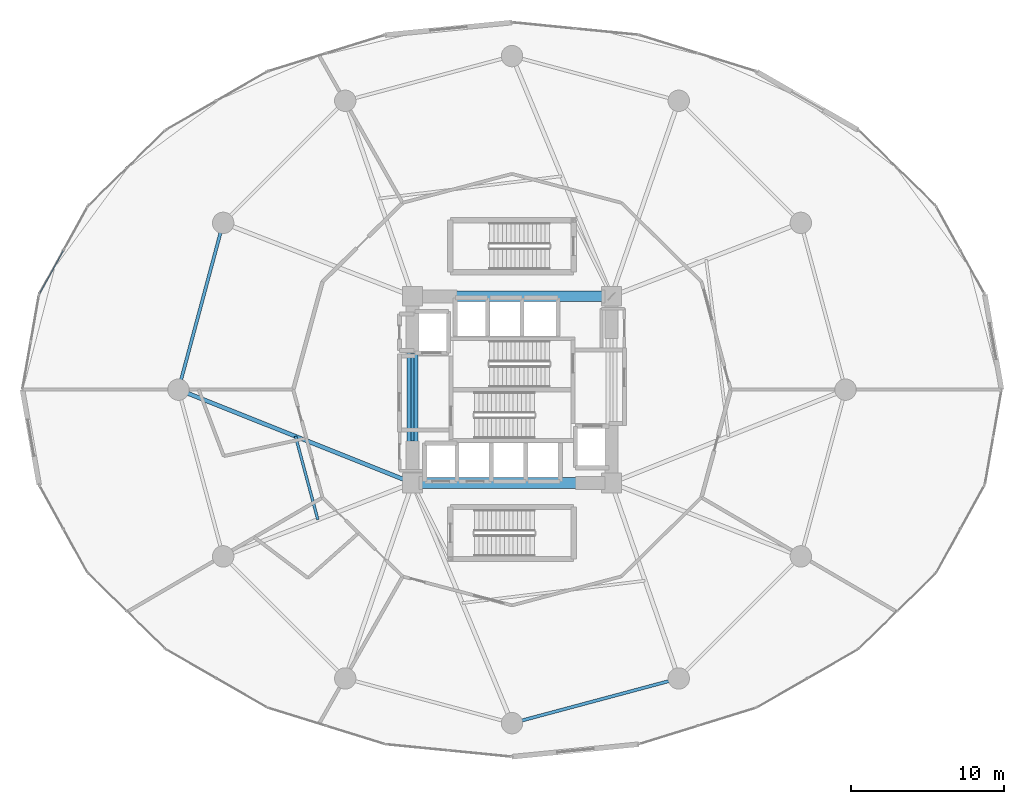
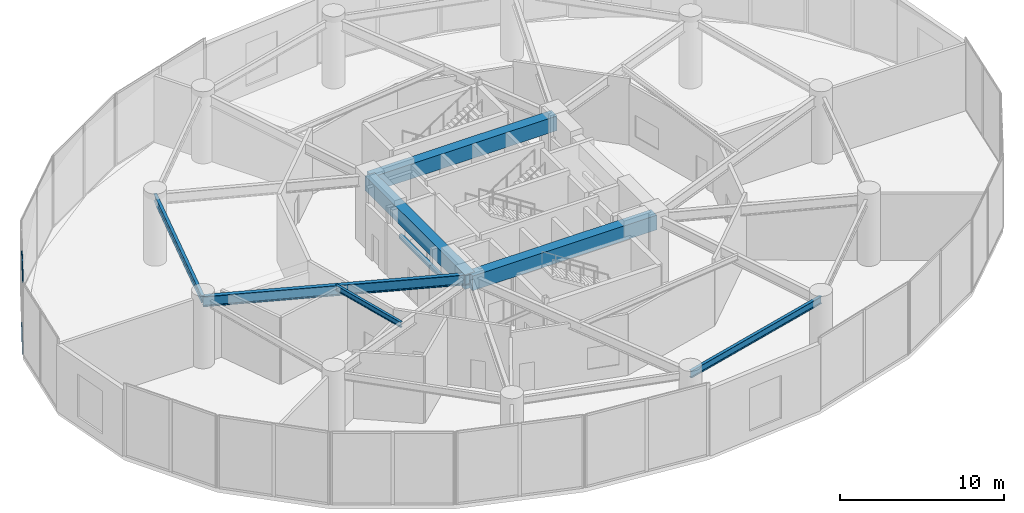
# One storey, part 8 of 29: 8 beams, 2 members, 1 element without a shape of its own.
"""IFC4 building model written with IfcOpenShell, lengths in metres."""

import ifcopenshell
import ifcopenshell.guid

model = None  # the IFC model being written
_history = None  # IfcOwnerHistory: only IFC2X3 demands one
_inside = {}  # id of a spatial element -> (the spatial element, [elements in it])
_under = {}  # id of a project, library or spatial element -> (it, [spatial elements below it])
_declared = {}  # id of a project -> (the project, [libraries it declares])
_typed = {}  # id of a type object -> (the type object, [elements of that type])
_made_of = {}  # id of a material, layer set ... -> (it, [elements and type objects made of it])


def new_model(schema):
    """Start an empty IFC model of exactly this schema.

    Asked for "IFC4X3", IfcOpenShell would pick the latest addendum, in which some entities
    have other attributes; the version numbers below select the first issue.
    IFC2X3 requires an IfcOwnerHistory on every rooted entity: one is made here for all.
    """
    global model, _history
    if schema == "IFC4X3":
        model = ifcopenshell.file(schema_version=(4, 3, 0, 0))
    else:
        model = ifcopenshell.file(schema=schema)
    _inside.clear()
    _under.clear()
    _declared.clear()
    _typed.clear()
    _made_of.clear()
    _history = None
    if model.schema == "IFC2X3":
        org = make("IfcOrganization", Name="unknown")
        user = make(
            "IfcPersonAndOrganization",
            ThePerson=make("IfcPerson", FamilyName="unknown"),
            TheOrganization=org,
        )
        app = make(
            "IfcApplication",
            ApplicationDeveloper=org,
            Version="unknown",
            ApplicationFullName="unknown",
            ApplicationIdentifier="unknown",
        )
        _history = make(
            "IfcOwnerHistory",
            OwningUser=user,
            OwningApplication=app,
            ChangeAction="ADDED",
            CreationDate=0,
        )
    return model


def make(cls, **values):
    """One entity of the class cls with the attributes given. An attribute that is None is left unset."""
    return model.create_entity(
        cls, **{name: value for name, value in values.items() if value is not None}
    )


def rooted(cls, **values):
    """An entity with a GlobalId (a new one), such as an element, a storey or a relation."""
    return make(cls, GlobalId=ifcopenshell.guid.new(), OwnerHistory=_history, **values)


def si_unit(unit_type, name, prefix=None):
    """IfcSIUnit, for example si_unit("LENGTHUNIT", "METRE", prefix="MILLI")."""
    return make("IfcSIUnit", UnitType=unit_type, Prefix=prefix, Name=name)


def assignment(units):
    """IfcUnitAssignment: the units of a project."""
    return None if units is None else make("IfcUnitAssignment", Units=units)


def point(xyz):
    """IfcCartesianPoint."""
    return None if xyz is None else make("IfcCartesianPoint", Coordinates=xyz)


def direction(xyz):
    """IfcDirection."""
    return None if xyz is None else make("IfcDirection", DirectionRatios=xyz)


def frame(location, z_axis=None, x_axis=None):
    """IfcAxis2Placement3D, a coordinate frame: its origin and axes. An axis left out is left unset."""
    return make(
        "IfcAxis2Placement3D",
        Location=point(location),
        Axis=direction(z_axis),
        RefDirection=direction(x_axis),
    )


def frame_2d(location, x_axis=None):
    """IfcAxis2Placement2D, a coordinate frame in the plane: its origin and x axis."""
    return make(
        "IfcAxis2Placement2D", Location=point(location), RefDirection=direction(x_axis)
    )


def origin():
    """The frame at (0, 0, 0) with its axes left unset."""
    return frame((0.0, 0.0, 0.0))


def origin_2d():
    """The frame at (0, 0) in the plane with its x axis left unset."""
    return frame_2d((0.0, 0.0))


def place(relative_to, where):
    """IfcLocalPlacement: puts the frame where relative to a parent placement (None: the world)."""
    return make(
        "IfcLocalPlacement", PlacementRelTo=relative_to, RelativePlacement=where
    )


def context(
    kind, dimensions, precision=None, world=None, true_north=None, identifier=None
):
    """IfcGeometricRepresentationContext, for example the 3D "Model" context."""
    return make(
        "IfcGeometricRepresentationContext",
        ContextIdentifier=identifier,
        ContextType=kind,
        CoordinateSpaceDimension=dimensions,
        Precision=precision,
        WorldCoordinateSystem=world,
        TrueNorth=true_north,
    )


def subcontext(parent, identifier, kind, view, scale=None):
    """IfcGeometricRepresentationSubContext, for example "Body" below "Model"."""
    return make(
        "IfcGeometricRepresentationSubContext",
        ContextIdentifier=identifier,
        ContextType=kind,
        ParentContext=parent,
        TargetScale=scale,
        TargetView=view,
    )


def project(units=None, contexts=None):
    """IfcProject with its units and contexts."""
    return rooted(
        "IfcProject",
        Name="project",
        RepresentationContexts=contexts,
        UnitsInContext=assignment(units),
    )


def spatial(cls, under=None, at=None, **own):
    """A site, building, storey or space (cls), placed at a placement, below another one or the project."""
    s = rooted(cls, ObjectPlacement=at, **own)
    if under is not None:
        _under.setdefault(under.id(), (under, []))[1].append(s)
    return s


def profile(cls, at=None, kind="AREA", **sizes):
    """A parametric profile (cls). Its sizes go by their IFC names, for example OverallWidth=200.0."""
    return make(cls, ProfileType=kind, Position=at, **sizes)


def rectangle(**sizes):
    """IfcRectangleProfileDef."""
    return profile("IfcRectangleProfileDef", **sizes)


def hollow_rectangle(**sizes):
    """IfcRectangleHollowProfileDef."""
    return profile("IfcRectangleHollowProfileDef", **sizes)


def i_section(**sizes):
    """IfcIShapeProfileDef."""
    return profile("IfcIShapeProfileDef", **sizes)


def extrude(swept, where, along, depth):
    """IfcExtrudedAreaSolid: the profile swept, set in the frame where, extruded along a direction by depth."""
    return make(
        "IfcExtrudedAreaSolid",
        SweptArea=swept,
        Position=where,
        ExtrudedDirection=direction(along),
        Depth=depth,
    )


def shape(context_of_items, identifier, shape_type, items):
    """IfcShapeRepresentation: the items that make up one representation, for example the "Body"."""
    return make(
        "IfcShapeRepresentation",
        ContextOfItems=context_of_items,
        RepresentationIdentifier=identifier,
        RepresentationType=shape_type,
        Items=items,
    )


def source(mapping_origin, context_of_items, identifier, shape_type, items):
    """IfcRepresentationMap: a shape defined once, which mapped items show again and again."""
    return make(
        "IfcRepresentationMap",
        MappingOrigin=mapping_origin,
        MappedRepresentation=shape(context_of_items, identifier, shape_type, items),
    )


def transform(
    local_origin,
    x_axis=None,
    y_axis=None,
    z_axis=None,
    scale=None,
    scale2=None,
    scale3=None,
    uniform=True,
):
    """IfcCartesianTransformationOperator3D, or its non-uniform kind. x_axis, y_axis, z_axis: its Axis1, 2, 3."""
    if uniform:
        return make(
            "IfcCartesianTransformationOperator3D",
            Axis1=direction(x_axis),
            Axis2=direction(y_axis),
            LocalOrigin=point(local_origin),
            Scale=scale,
            Axis3=direction(z_axis),
        )
    return make(
        "IfcCartesianTransformationOperator3DnonUniform",
        Axis1=direction(x_axis),
        Axis2=direction(y_axis),
        LocalOrigin=point(local_origin),
        Scale=scale,
        Axis3=direction(z_axis),
        Scale2=scale2,
        Scale3=scale3,
    )


def mapped(mapping_source, mapping_target):
    """IfcMappedItem: shows the shape of a source again, moved by a transform."""
    return make(
        "IfcMappedItem", MappingSource=mapping_source, MappingTarget=mapping_target
    )


def material(Name=None, Category=None):
    """IfcMaterial."""
    return make("IfcMaterial", Name=Name, Category=Category)


def layer(
    of_material, thickness, ventilated=None, Name=None, Category=None, Priority=None
):
    """IfcMaterialLayer: one layer of a wall or slab, of a material (None: an air gap)."""
    return make(
        "IfcMaterialLayer",
        Material=of_material,
        LayerThickness=thickness,
        IsVentilated=ventilated,
        Name=Name,
        Category=Category,
        Priority=Priority,
    )


def layer_set(layers, Name=None):
    """IfcMaterialLayerSet."""
    return make("IfcMaterialLayerSet", MaterialLayers=layers, LayerSetName=Name)


def material_profile(
    of_material, cross_section, Name=None, Category=None, Priority=None
):
    """IfcMaterialProfile: a cross section and its material."""
    return make(
        "IfcMaterialProfile",
        Name=Name,
        Material=of_material,
        Profile=cross_section,
        Priority=Priority,
        Category=Category,
    )


def profile_set(profiles, Name=None, composite=None):
    """IfcMaterialProfileSet."""
    return make(
        "IfcMaterialProfileSet",
        Name=Name,
        MaterialProfiles=profiles,
        CompositeProfile=composite,
    )


def made_of(thing, what):
    """Note that an element or type object is made of a material, layer set ...; save() writes the relation."""
    if what is not None:
        _made_of.setdefault(what.id(), (what, []))[1].append(thing)
    return thing


def type_object(cls, material=None, **own):
    """A type object (cls), such as IfcWallType, which elements share."""
    return made_of(rooted(cls, **own), material)


def element(
    cls,
    number,
    at=None,
    inside=None,
    cuts=None,
    type_object=None,
    material=None,
    context=None,
    identifier="Body",
    shape_type=None,
    held_by="IfcProductDefinitionShape",
    body=None,
    shapes=None,
    **own,
):
    """One element of the class cls, such as IfcWall. Its Tag is "e" and its number.

    at: its placement. inside: the storey or other place that contains it. cuts: it is an
    opening in that element (IfcRelVoidsElement). A single representation is given by context,
    identifier, shape_type and body (its items); several are given by shapes. held_by: the class
    of the entity that holds the representations. save() writes the other relations.
    """
    e = rooted(cls, Tag="e%d" % number, ObjectPlacement=at, **own)
    if body is not None:
        shapes = [shape(context, identifier, shape_type, body)]
    if shapes is not None:
        e.Representation = make(held_by, Representations=shapes)
    if inside is not None:
        _inside.setdefault(inside.id(), (inside, []))[1].append(e)
    if cuts is not None:
        rooted(
            "IfcRelVoidsElement", RelatingBuildingElement=cuts, RelatedOpeningElement=e
        )
    if type_object is not None:
        _typed.setdefault(type_object.id(), (type_object, []))[1].append(e)
    return made_of(e, material)


def aggregate(whole, parts):
    """IfcRelAggregates: a whole, such as a stair, and the parts it consists of."""
    return rooted("IfcRelAggregates", RelatingObject=whole, RelatedObjects=parts)


def save(model, path):
    """Write the relations noted so far, then the file.

    IfcRelAggregates (storeys below a building ...), IfcRelContainedInSpatialStructure (elements
    in a storey), IfcRelDefinesByType, IfcRelAssociatesMaterial and IfcRelDeclares: one each for
    every whole, place, type object, material and project.
    """
    for whole, parts in _under.values():
        aggregate(whole, parts)
    for where, things in _inside.values():
        rooted(
            "IfcRelContainedInSpatialStructure",
            RelatedElements=things,
            RelatingStructure=where,
        )
    for kind, things in _typed.values():
        rooted("IfcRelDefinesByType", RelatedObjects=things, RelatingType=kind)
    for what, things in _made_of.values():
        rooted("IfcRelAssociatesMaterial", RelatedObjects=things, RelatingMaterial=what)
    for by, libraries in _declared.values():
        rooted("IfcRelDeclares", RelatingContext=by, RelatedDefinitions=libraries)
    model.write(path)


model = new_model("IFC4")

# Units and contexts
model_context = context("Model", 3, precision=1e-05, world=origin(), true_north=direction((0.0, 1.0)))
body_context = subcontext(model_context, "Body", "Model", "MODEL_VIEW")
ifc_project = project(units=[si_unit("LENGTHUNIT", "METRE"), si_unit("AREAUNIT", "SQUARE_METRE"), si_unit("VOLUMEUNIT", "CUBIC_METRE"), si_unit("PLANEANGLEUNIT", "RADIAN"), si_unit("MASSUNIT", "GRAM", prefix="KILO")], contexts=[model_context])

# Site, building, storey
site_placement = place(None, origin())
site = spatial("IfcSite", under=ifc_project, at=site_placement, CompositionType="ELEMENT")
building_placement = place(site_placement, origin())
building = spatial("IfcBuilding", under=site, at=building_placement, Name="Solvirekh Grand Hotel", CompositionType="ELEMENT")
storey_placement = place(building_placement, frame((0.0, 0.0, 7.199951171875)))
storey = spatial("IfcBuildingStorey", under=building, at=storey_placement, Name="L01", CompositionType="ELEMENT", Elevation=7.199951171875)

# Beams
ifc_material_1 = material(Name="Steel S355", Category="steel")
ifc_material_profile_1 = material_profile(ifc_material_1, i_section(OverallWidth=0.27001953125, OverallDepth=0.77294921875, WebThickness=0.01806640625, FlangeThickness=0.031005859375, FilletRadius=0.01806640625, at=origin_2d()), Name="W760X257")
ifc_profile_set_1 = profile_set([ifc_material_profile_1], Name="Steel S355")
beam_type_1 = type_object("IfcBeamType", Name="Beam_Ballroom_W760", PredefinedType="BEAM", material=ifc_profile_set_1)
beam_1_placement = place(storey_placement, frame((-6.5, -6.10009765625, 4.593017578125), z_axis=(-0.9288931718, 0.370347776263, 0.0), x_axis=(-0.370347776263, -0.9288931718, 0.0)))
element("IfcBeam", 1, at=beam_1_placement, inside=storey, type_object=beam_type_1, Name="L01 radial floor beam R07", PredefinedType="BEAM", context=body_context, shape_type="SweptSolid", body=[
    extrude(i_section(OverallWidth=0.27001953125, OverallDepth=0.77294921875, WebThickness=0.01806640625, FlangeThickness=0.031005859375, FilletRadius=0.01806640625, at=origin_2d()), origin(), (0.0, 0.0, 1.0), 16.47119140625),
])
ifc_material_2 = material(Name="Concrete C60/75", Category="concrete")
ifc_material_profile_2 = material_profile(ifc_material_2, rectangle(XDim=0.699951171875, YDim=1.10009765625, at=origin_2d()), Name="RC BEAM 700X1100")
ifc_profile_set_2 = profile_set([ifc_material_profile_2], Name="Concrete C60/75")
beam_type_2 = type_object("IfcBeamType", Name="Beam_Core_RC1100", PredefinedType="BEAM", material=ifc_profile_set_2)
for number, where, z_axis, x_axis, name in (
    (2, (-6.5, -6.10009765625, 4.429931640625), (1.0, 0.0, 0.0), (0.0, 1.0, 0.0), "L01 core coupling ring beam 1"),
    (3, (6.5, 6.10009765625, 4.429931640625), (-1.0, 0.0, 0.0), (0.0, -1.0, 0.0), "L01 core coupling ring beam 3"),
):
    element("IfcBeam", number, at=place(storey_placement, frame(where, z_axis=z_axis, x_axis=x_axis)), inside=storey, type_object=beam_type_2, Name=name, PredefinedType="BEAM", context=body_context, shape_type="SweptSolid", body=[
        extrude(rectangle(XDim=0.699951171875, YDim=1.10009765625, at=origin_2d()), origin(), (0.0, 0.0, 1.0), 13.0),
    ])
beam_2_placement = place(storey_placement, frame((-6.5, 6.10009765625, 4.429931640625), z_axis=(0.0, -1.0, 0.0), x_axis=(1.0, 0.0, 0.0)))
element("IfcBeam", 4, at=beam_2_placement, inside=storey, type_object=beam_type_2, Name="L01 core coupling ring beam 4", PredefinedType="BEAM", context=body_context, shape_type="SweptSolid", body=[
    extrude(rectangle(XDim=0.699951171875, YDim=1.10009765625, at=origin_2d()), origin(), (0.0, 0.0, 1.0), 12.2001953125),
])
ifc_material_profile_3 = material_profile(ifc_material_1, i_section(OverallWidth=0.177978515625, OverallDepth=0.406982421875, WebThickness=0.008056640625, FlangeThickness=0.011962890625, FilletRadius=0.011962890625, at=origin_2d()), Name="W410X60")
ifc_profile_set_3 = profile_set([ifc_material_profile_3], Name="Steel S355")
beam_type_3 = type_object("IfcBeamType", Name="Joist_Floor_W410", PredefinedType="JOIST", material=ifc_profile_set_3)
beam_3_placement = place(storey_placement, frame((-14.14990234375, -3.050048828125, 4.776123046875), z_axis=(0.258761319114, -0.965941292072, 0.0), x_axis=(0.965941292072, 0.258761319114, 0.0)))
element("IfcBeam", 5, at=beam_3_placement, inside=storey, type_object=beam_type_3, Name="L01 secondary composite floor joist 7", PredefinedType="JOIST", context=body_context, shape_type="SweptSolid", body=[
    extrude(i_section(OverallWidth=0.177978515625, OverallDepth=0.406982421875, WebThickness=0.008056640625, FlangeThickness=0.011962890625, FilletRadius=0.011962890625, at=origin_2d()), origin(), (0.0, 0.0, 1.0), 5.64208984375),
])
ifc_material_3 = material(Name="Precast concrete C45/55", Category="concrete")
ifc_material_profile_4 = material_profile(ifc_material_3, rectangle(XDim=0.199951171875, YDim=0.320068359375, at=origin_2d()), Name="RC LINTEL 200X320")
ifc_profile_set_4 = profile_set([ifc_material_profile_4], Name="Precast concrete C45/55")
beam_type_4 = type_object("IfcBeamType", Name="Lintel_RC320", PredefinedType="LINTEL", material=ifc_profile_set_4)
beam_4_placement = place(storey_placement, frame((-6.5, -3.35009765625, 2.650146484375), z_axis=(0.0, 1.0, 0.0), x_axis=(-1.0, 0.0, 0.0)))
element("IfcBeam", 6, at=beam_4_placement, inside=storey, type_object=beam_type_4, Name="L01 west core lobby RC lintel", PredefinedType="LINTEL", context=body_context, shape_type="SweptSolid", body=[
    extrude(rectangle(XDim=0.199951171875, YDim=0.320068359375, at=origin_2d()), origin(), (0.0, 0.0, 1.0), 5.7001953125),
])
ifc_material_profile_5 = material_profile(ifc_material_1, i_section(OverallWidth=0.208984375, OverallDepth=0.532958984375, WebThickness=0.010009765625, FlangeThickness=0.014892578125, FilletRadius=0.013916015625, at=origin_2d()), Name="W530X92")
ifc_profile_set_5 = profile_set([ifc_material_profile_5], Name="Steel S355")
beam_type_5 = type_object("IfcBeamType", Name="Spandrel_Ring_W530", PredefinedType="SPANDREL", material=ifc_profile_set_5)
for number, where, z_axis, x_axis, name in (
    (7, (-18.87890625, 10.89990234375, 4.713134765625), (-0.258862249378, -0.965914248703, 0.0), (0.965914248703, -0.258862249378, 0.0), "L01 perimeter spandrel beam 6"),
    (8, (0.0, -21.800048828125, 4.713134765625), (0.965914248703, 0.258862249378, 0.0), (-0.258862249378, 0.965914248703, 0.0), "L01 perimeter spandrel beam 10"),
):
    element("IfcBeam", number, at=place(storey_placement, frame(where, z_axis=z_axis, x_axis=x_axis)), inside=storey, type_object=beam_type_5, Name=name, PredefinedType="SPANDREL", context=body_context, shape_type="SweptSolid", body=[
        extrude(i_section(OverallWidth=0.208984375, OverallDepth=0.532958984375, WebThickness=0.010009765625, FlangeThickness=0.014892578125, FilletRadius=0.013916015625, at=origin_2d()), origin(), (0.0, 0.0, 1.0), 11.284423828125),
    ])

# Curtain wall, members
ifc_material_4 = material(Name="Anodized Bronze Aluminium 6063-T6", Category="aluminium")
ifc_layer = layer(ifc_material_4, 0.219970703125)
ifc_layer_set = layer_set([ifc_layer], Name="Anodized Bronze Aluminium 6063-T6")
curtain_wall_type = type_object("IfcCurtainWallType", Name="CW_Sys1_PodiumBronzeUnitised", PredefinedType="NOTDEFINED", material=ifc_layer_set)
curtain_wall_placement = place(storey_placement, origin())
curtain_wall = element("IfcCurtainWall", 9, at=curtain_wall_placement, inside=storey, type_object=curtain_wall_type, Name="L01 unitised bronze-glass curtain wall CW-L01-C11", PredefinedType="NOTDEFINED")
ifc_material_profile_6 = material_profile(ifc_material_4, hollow_rectangle(XDim=0.06494140625, YDim=0.14990234375, WallThickness=0.0048828125, at=origin_2d()), Name="ALU RHS 150X65X5")
ifc_profile_set_6 = profile_set([ifc_material_profile_6], Name="Anodized Bronze Aluminium 6063-T6")
member_type = type_object("IfcMemberType", Name="CWTransom_Sys1", PredefinedType="USERDEFINED", material=ifc_profile_set_6)
shared_shape = source(origin(), body_context, "Body", "SweptSolid", [
    extrude(hollow_rectangle(XDim=0.06494140625, YDim=0.14990234375, WallThickness=0.0048828125, at=origin_2d()), origin(), (0.0, 0.0, 1.0), 3.19384765625),
])
member_1_placement = place(storey_placement, frame((-29.32958984375, 9.0732421875, 0.032470703125), z_axis=(-0.48349963747, -0.875344561054, 0.0), x_axis=(0.875344561054, -0.48349963747, 0.0)))
member_1 = element("IfcMember", 10, at=member_1_placement, type_object=member_type, Name="U01 transom 2.1", ObjectType="TRANSOM", PredefinedType="USERDEFINED", context=body_context, shape_type="MappedRepresentation", body=[
    mapped(shared_shape, transform((0.0, 0.0, 0.0), x_axis=(1.0, 0.0, 0.0), y_axis=(0.0, 1.0, 0.0), z_axis=(0.0, 0.0, 1.0), scale=1.0)),
])
member_2_placement = place(storey_placement, frame((-29.32958984375, 9.0732421875, 5.367431640625), z_axis=(-0.48349963747, -0.875344561054, 0.0), x_axis=(0.875344561054, -0.48349963747, 0.0)))
member_2 = element("IfcMember", 11, at=member_2_placement, type_object=member_type, Name="U01 transom 2.2", ObjectType="TRANSOM", PredefinedType="USERDEFINED", context=body_context, shape_type="MappedRepresentation", body=[
    mapped(shared_shape, transform((0.0, 0.0, 0.0), x_axis=(1.0, 0.0, 0.0), y_axis=(0.0, 1.0, 0.0), z_axis=(0.0, 0.0, 1.0), scale=1.0)),
])
aggregate(curtain_wall, [member_1, member_2])

save(model, "model.ifc")
